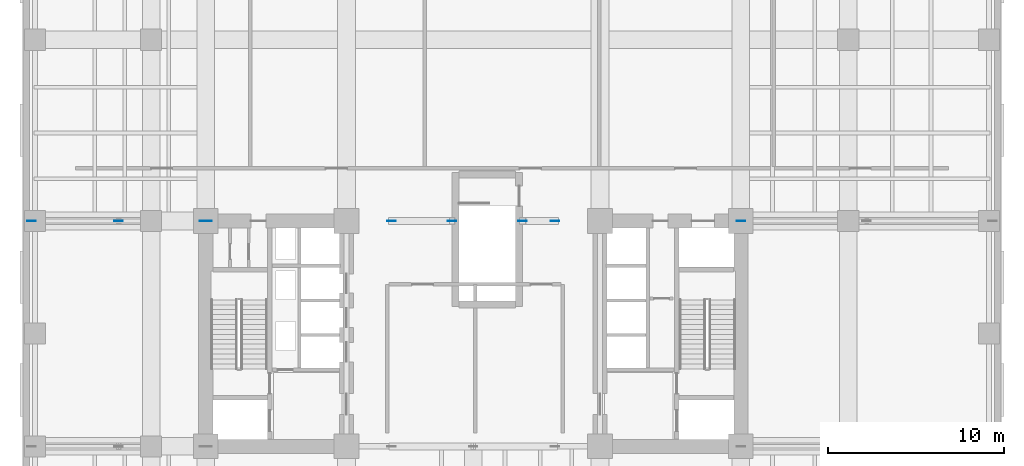
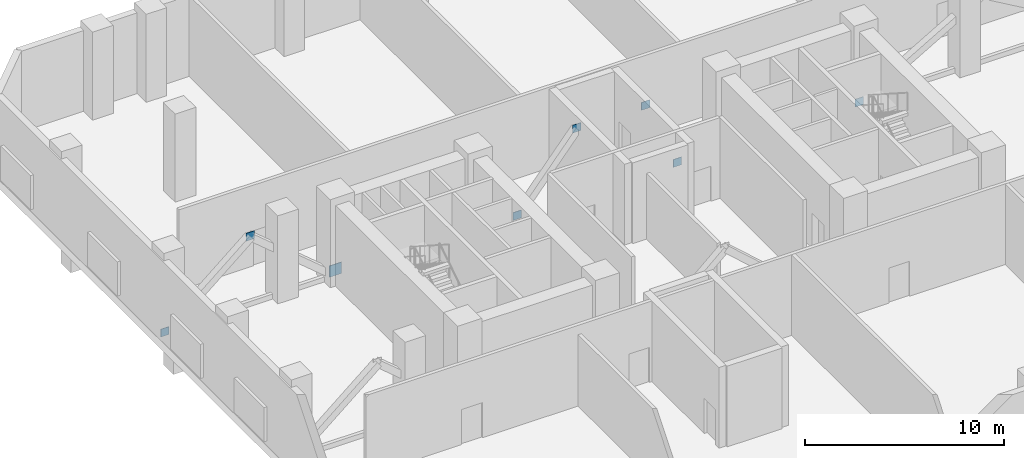
# One storey, part 5 of 13: 8 plates.
"""IFC4 building model written with IfcOpenShell, lengths in metres."""

from ifc_helpers import new_model, si_unit, direction, frame, origin, origin_2d, place, context, subcontext, project, spatial, rectangle, extrude, material, layer, layer_set, type_object, element, save


model = new_model("IFC4")

# Units and contexts
model_context = context("Model", 3, precision=1e-05, world=origin(), true_north=direction((0.0, 1.0)))
body_context = subcontext(model_context, "Body", "Model", "MODEL_VIEW")
ifc_project = project(units=[si_unit("LENGTHUNIT", "METRE"), si_unit("AREAUNIT", "SQUARE_METRE"), si_unit("VOLUMEUNIT", "CUBIC_METRE"), si_unit("PLANEANGLEUNIT", "RADIAN"), si_unit("MASSUNIT", "GRAM", prefix="KILO")], contexts=[model_context])

# Site, building, storey
site_placement = place(None, origin())
site = spatial("IfcSite", under=ifc_project, at=site_placement, CompositionType="ELEMENT")
building_placement = place(site_placement, origin())
building = spatial("IfcBuilding", under=site, at=building_placement, Name="Kranthara Brick Stack", CompositionType="ELEMENT")
storey_placement = place(building_placement, frame((0.0, 0.0, 18.89990234375)))
storey = spatial("IfcBuildingStorey", under=building, at=storey_placement, Name="L04", CompositionType="ELEMENT", Elevation=18.89990234375)

# Plates
ifc_material = material(Name="Steel S355", Category="steel")
ifc_layer = layer(ifc_material, 0.030029296875)
ifc_layer_set = layer_set([ifc_layer], Name="Steel S355")
plate_type = type_object("IfcPlateType", Name="PLT-GUSSET-30", PredefinedType="USERDEFINED", material=ifc_layer_set)
plate_placement = place(storey_placement, frame((12.800048828125, 33.60009765625, 0.10009765625), z_axis=(0.0, 0.0, 1.0), x_axis=(1.0, 0.0, 0.0)))
element("IfcPlate", 1, at=plate_placement, inside=storey, type_object=plate_type, Name="L04 Outrigger Core Gusset Plate 2", ObjectType="GUSSET PLATE", PredefinedType="USERDEFINED", context=body_context, shape_type="SweptSolid", body=[
    extrude(rectangle(XDim=0.699951171875, YDim=0.030029296875, at=origin_2d()), origin(), (0.0, 0.0, 1.0), 0.699951171875),
])
for number, where, z_axis, x_axis, name in (
    (2, (7.85009765625, 33.60009765625, 4.010009765625), (0.0, 0.0, 1.0), (1.0, 0.0, 0.0), "L04 Brace and Strut End Connection Gusset Plate 134"),
    (3, (43.199951171875, 33.60009765625, -0.139892578125), (0.0, 0.0, 1.0), (1.0, 0.0, 0.0), "L04 Brace and Strut End Connection Gusset Plate 137"),
    (4, (2.89990234375, 33.60009765625, -0.139892578125), (0.0, 0.0, 1.0), (1.0, 0.0, 0.0), "L04 Brace and Strut End Connection Gusset Plate 140"),
    (5, (23.35009765625, 33.60009765625, -0.139892578125), (0.0, 0.0, 1.0), (1.0, 0.0, 0.0), "L04 Brace and Strut End Connection Gusset Plate 146"),
    (6, (26.800048828125, 33.60009765625, 4.010009765625), (0.0, 0.0, 1.0), (1.0, 0.0, 0.0), "L04 Brace and Strut End Connection Gusset Plate 147"),
    (7, (32.64990234375, 33.60009765625, -0.139892578125), (0.0, 0.0, 1.0), (1.0, 0.0, 0.0), "L04 Brace and Strut End Connection Gusset Plate 148"),
    (8, (30.800048828125, 33.60009765625, 4.010009765625), (0.0, 0.0, 1.0), (1.0, 0.0, 0.0), "L04 Brace and Strut End Connection Gusset Plate 149"),
):
    element("IfcPlate", number, at=place(storey_placement, frame(where, z_axis=z_axis, x_axis=x_axis)), inside=storey, type_object=plate_type, Name=name, ObjectType="GUSSET PLATE", PredefinedType="USERDEFINED", context=body_context, shape_type="SweptSolid", body=[
        extrude(rectangle(XDim=0.47998046875, YDim=0.030029296875, at=origin_2d()), origin(), (0.0, 0.0, 1.0), 0.47998046875),
    ])

save(model, "model.ifc")
